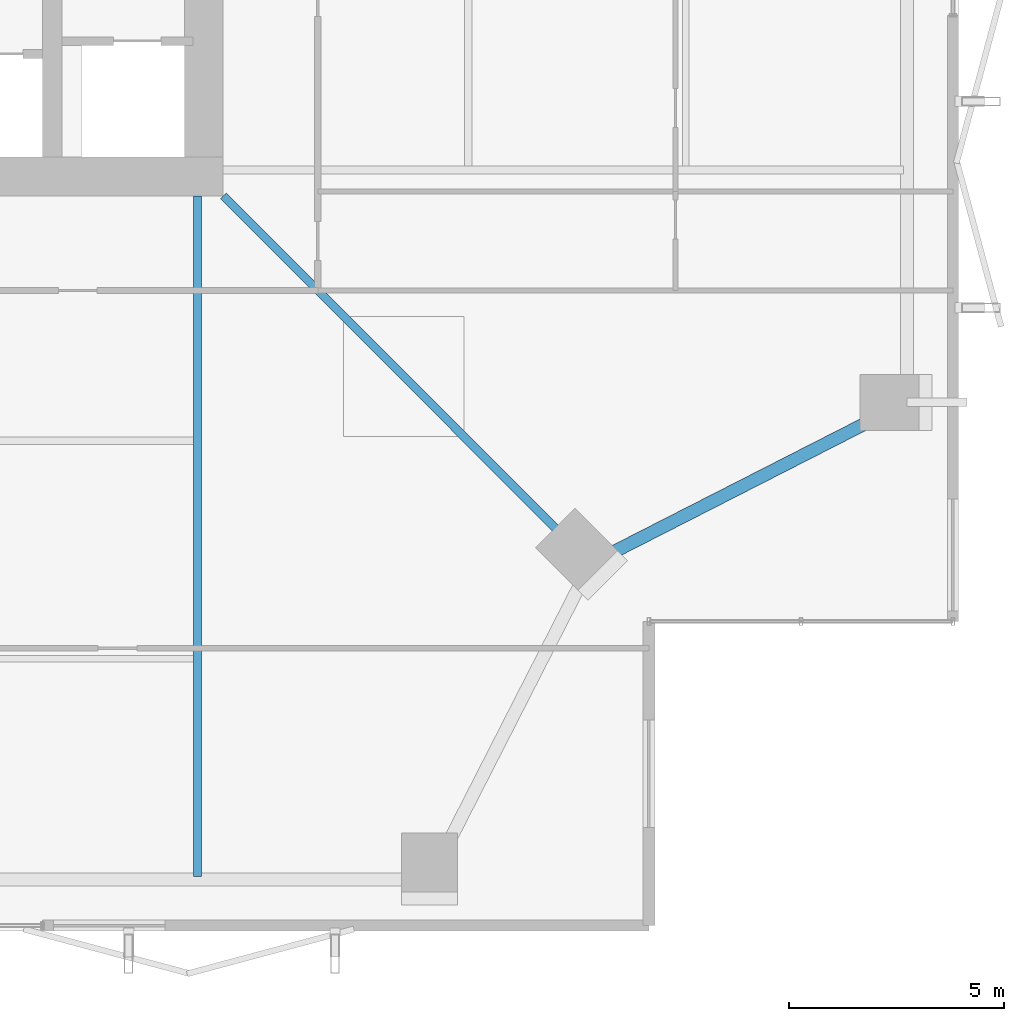
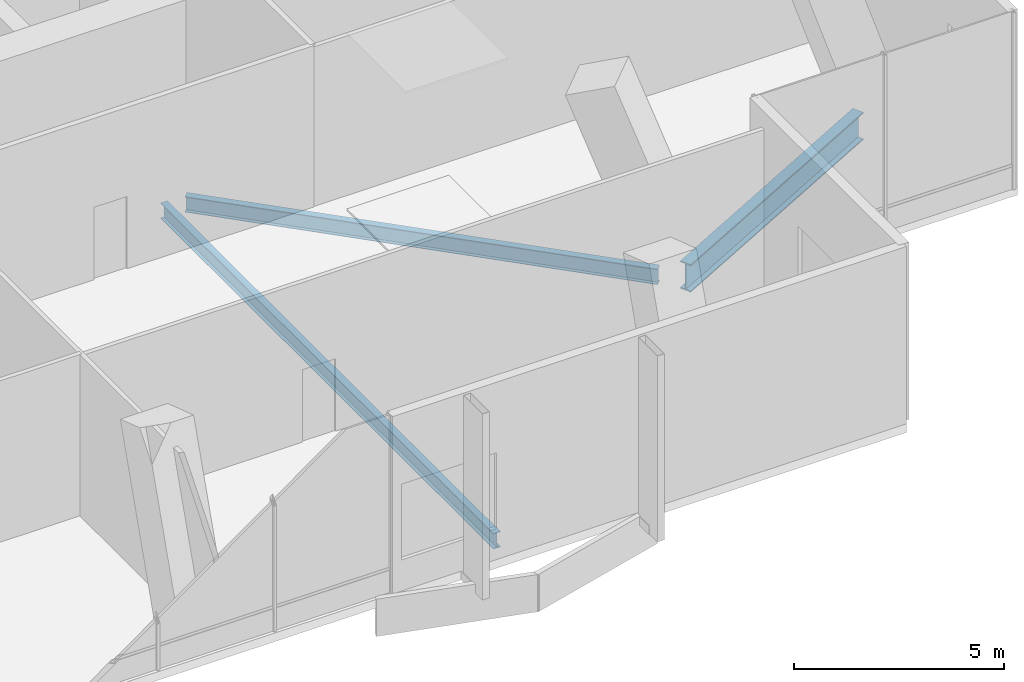
# One storey, part 11 of 28: 3 beams.
"""IFC4 building model written with IfcOpenShell, lengths in metres."""

from ifc_helpers import new_model, si_unit, direction, frame, origin, origin_2d, place, context, subcontext, project, spatial, i_section, extrude, material, material_profile, profile_set, type_object, element, save


model = new_model("IFC4")

# Units and contexts
model_context = context("Model", 3, precision=1e-05, world=origin(), true_north=direction((0.0, 1.0)))
body_context = subcontext(model_context, "Body", "Model", "MODEL_VIEW")
ifc_project = project(units=[si_unit("LENGTHUNIT", "METRE"), si_unit("AREAUNIT", "SQUARE_METRE"), si_unit("VOLUMEUNIT", "CUBIC_METRE"), si_unit("PLANEANGLEUNIT", "RADIAN"), si_unit("MASSUNIT", "GRAM", prefix="KILO")], contexts=[model_context])

# Site, building, storey
site_placement = place(None, origin())
site = spatial("IfcSite", under=ifc_project, at=site_placement, CompositionType="ELEMENT")
building_placement = place(site_placement, origin())
building = spatial("IfcBuilding", under=site, at=building_placement, Name="Belovzor Exchange Tower", CompositionType="ELEMENT")
storey_placement = place(building_placement, frame((0.0, 0.0, 132.89990234375)))
storey = spatial("IfcBuildingStorey", under=building, at=storey_placement, Name="L32", CompositionType="ELEMENT", Elevation=132.89990234375)

# Beams
ifc_material_1 = material(Name="Steel S355", Category="steel")
ifc_material_profile_1 = material_profile(ifc_material_1, i_section(OverallWidth=0.300048828125, OverallDepth=0.800048828125, WebThickness=0.017578125, FlangeThickness=0.032958984375, at=origin_2d()))
ifc_profile_set_1 = profile_set([ifc_material_profile_1], Name="Steel S355")
beam_type_1 = type_object("IfcBeamType", Name="Sky-Lobby Primary Girder HEB 800", PredefinedType="BEAM", material=ifc_profile_set_1)
beam_1_placement = place(storey_placement, frame((46.66796875, 11.412109375, -0.64990234375), z_axis=(0.890750362822, 0.454492894481, 0.0), x_axis=(-0.454492894481, 0.890750362822, 0.0)))
element("IfcBeam", 1, at=beam_1_placement, inside=storey, type_object=beam_type_1, Name="SG-1 Sky-Lobby Primary Girder HEB 800", PredefinedType="BEAM", context=body_context, shape_type="SweptSolid", body=[
    extrude(i_section(OverallWidth=0.300048828125, OverallDepth=0.800048828125, WebThickness=0.017578125, FlangeThickness=0.032958984375, at=origin_2d()), origin(), (0.0, 0.0, 1.0), 7.53759765625),
])
ifc_material_2 = material(Name="Steel S355", Category="steel")
ifc_material_profile_2 = material_profile(ifc_material_2, i_section(OverallWidth=0.18994140625, OverallDepth=0.449951171875, WebThickness=0.009521484375, FlangeThickness=0.0146484375, at=origin_2d()))
ifc_profile_set_2 = profile_set([ifc_material_profile_2], Name="Steel S355")
beam_type_2 = type_object("IfcBeamType", Name="Zone 2-4 Radial Composite Floor Beam IPE 450", PredefinedType="BEAM", material=ifc_profile_set_2)
beam_2_placement = place(storey_placement, frame((37.199951171875, 19.800048828125, -0.474853515625), z_axis=(0.0, -1.0, 0.0), x_axis=(1.0, 0.0, 0.0)))
element("IfcBeam", 2, at=beam_2_placement, inside=storey, type_object=beam_type_2, Name="FB-450 Zone 2-4 Radial Composite Floor Beam IPE 450", PredefinedType="BEAM", context=body_context, shape_type="SweptSolid", body=[
    extrude(i_section(OverallWidth=0.18994140625, OverallDepth=0.449951171875, WebThickness=0.009521484375, FlangeThickness=0.0146484375, at=origin_2d()), origin(), (0.0, 0.0, 1.0), 15.824951171875),
])
beam_3_placement = place(storey_placement, frame((37.800048828125, 19.800048828125, -0.474853515625), z_axis=(0.70709628664, -0.707117275577, 0.0), x_axis=(0.707117275577, 0.70709628664, 0.0)))
element("IfcBeam", 3, at=beam_3_placement, inside=storey, type_object=beam_type_2, Name="FB-450 Zone 2-4 Radial Composite Floor Beam IPE 450", PredefinedType="BEAM", context=body_context, shape_type="SweptSolid", body=[
    extrude(i_section(OverallWidth=0.18994140625, OverallDepth=0.449951171875, WebThickness=0.009521484375, FlangeThickness=0.0146484375, at=origin_2d()), origin(), (0.0, 0.0, 1.0), 11.6318359375),
])

save(model, "model.ifc")
